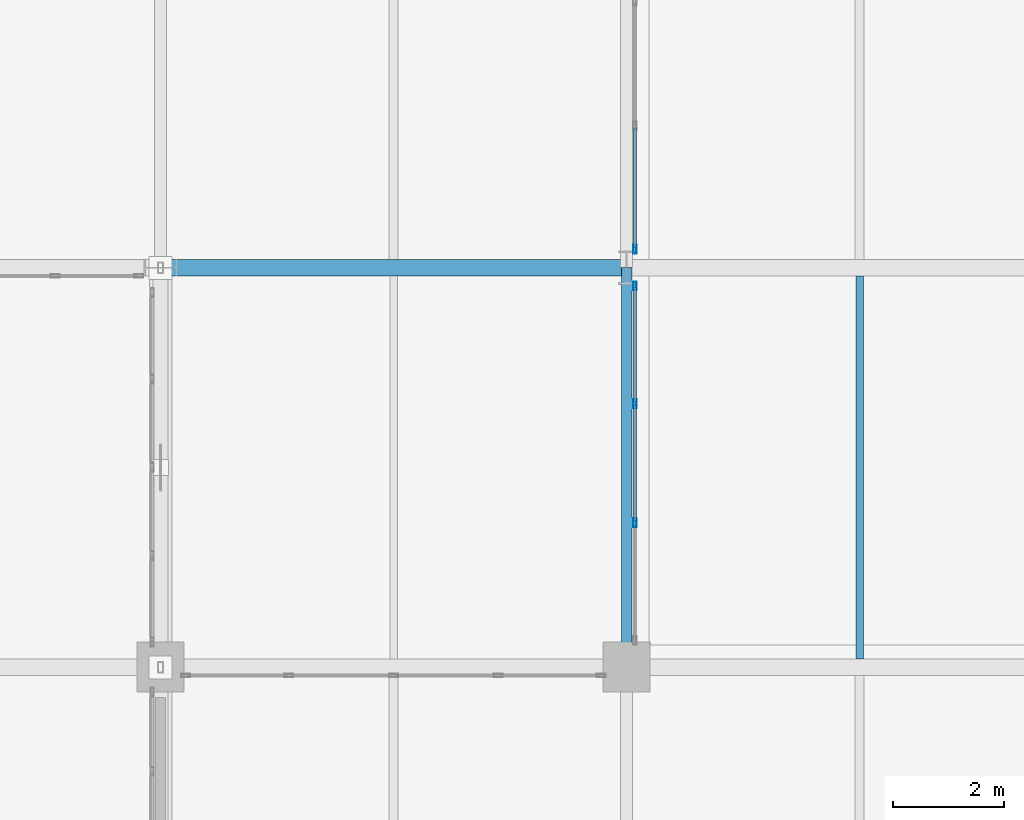
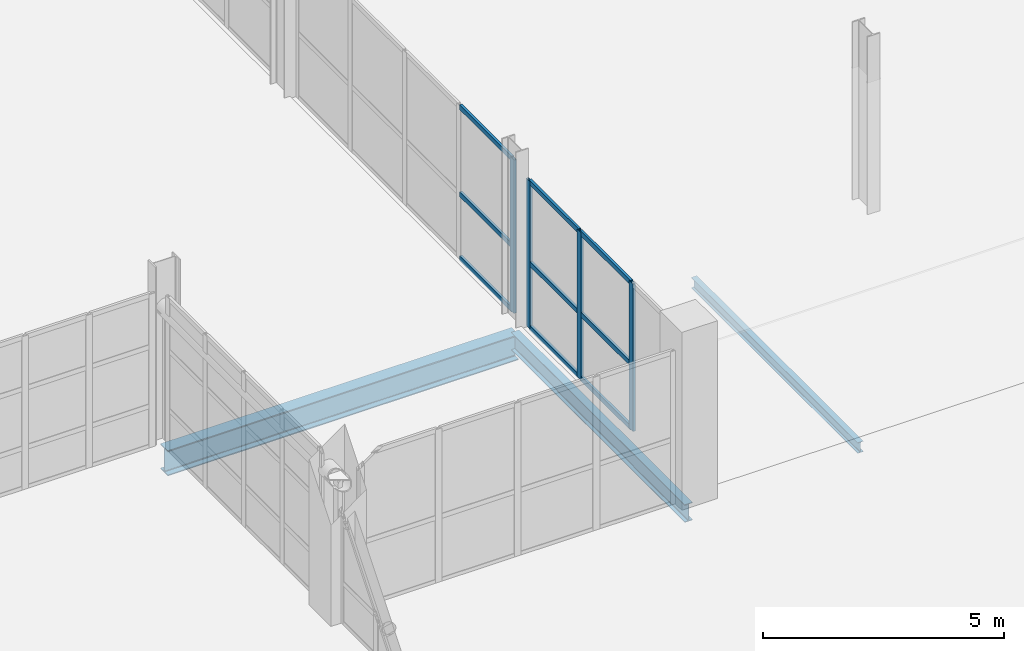
# One storey, part 32 of 130: 13 members, 3 beams, 2 elements without a shape of their own.
"""IFC4 building model written with IfcOpenShell, lengths in metres."""

from ifc_helpers import new_model, si_unit, direction, frame, origin, origin_2d, place, context, subcontext, project, spatial, hollow_rectangle, i_section, extrude, material, material_profile, profile_set, type_object, element, aggregate, save


model = new_model("IFC4")

# Units and contexts
model_context = context("Model", 3, precision=1e-05, world=origin(), true_north=direction((0.0, 1.0)))
body_context = subcontext(model_context, "Body", "Model", "MODEL_VIEW")
ifc_project = project(units=[si_unit("LENGTHUNIT", "METRE"), si_unit("AREAUNIT", "SQUARE_METRE"), si_unit("VOLUMEUNIT", "CUBIC_METRE"), si_unit("PLANEANGLEUNIT", "RADIAN"), si_unit("MASSUNIT", "GRAM", prefix="KILO")], contexts=[model_context])

# Site, building, storey
site_placement = place(None, origin())
site = spatial("IfcSite", under=ifc_project, at=site_placement, CompositionType="ELEMENT")
building_placement = place(site_placement, origin())
building = spatial("IfcBuilding", under=site, at=building_placement, Name="Veltarok Museum of Natural Sciences", CompositionType="ELEMENT")
storey_placement = place(building_placement, frame((0.0, 0.0, 12.89990234375)))
storey = spatial("IfcBuildingStorey", under=building, at=storey_placement, Name="L02", CompositionType="ELEMENT", Elevation=12.89990234375)

# Curtain wall, members
ifc_material_1 = material(Name="Low-iron triple insulated glass", Category="glass")
curtain_wall_type_1 = type_object("IfcCurtainWallType", Name="Curtain Wall System CW-V2W-L02-3-645x373 (CW-V2W L02 645x373cm)", PredefinedType="NOTDEFINED", material=ifc_material_1)
curtain_wall_1_placement = place(storey_placement, origin())
curtain_wall_1 = element("IfcCurtainWall", 1, at=curtain_wall_1_placement, inside=storey, type_object=curtain_wall_type_1, Name="Curtain Wall CW-V2W-L02-3-645x373 CW-0139", PredefinedType="NOTDEFINED")
ifc_material_2 = material(Name="Thermally broken anodised aluminium", Category="aluminium")
ifc_material_profile_1 = material_profile(ifc_material_2, hollow_rectangle(XDim=0.06005859375, YDim=0.1201171875, WallThickness=0.0048828125, at=origin_2d()), Name="CW TRANSOM 60x120x5")
ifc_profile_set_1 = profile_set([ifc_material_profile_1], Name="Thermally broken anodised aluminium")
member_type_1 = type_object("IfcMemberType", Name="Curtain Wall Horizontal Transom 60x120x5", PredefinedType="USERDEFINED", material=ifc_profile_set_1)
member_1_placement = place(storey_placement, frame((40.14990234375, 21.830078125, 0.028076171875), z_axis=(0.0, 1.0, 0.0), x_axis=(-1.0, 0.0, 0.0)))
member_1 = element("IfcMember", 2, at=member_1_placement, type_object=member_type_1, Name="CW-V2W-L02-3-645x373 transom 2.1", ObjectType="TRANSOM", PredefinedType="USERDEFINED", context=body_context, shape_type="SweptSolid", body=[
    extrude(hollow_rectangle(XDim=0.06005859375, YDim=0.1201171875, WallThickness=0.0048828125, at=origin_2d()), origin(), (0.0, 0.0, 1.0), 2.08984375),
])
member_2_placement = place(storey_placement, frame((40.14990234375, 21.830078125, 1.648193359375), z_axis=(0.0, 1.0, 0.0), x_axis=(-1.0, 0.0, 0.0)))
member_2 = element("IfcMember", 3, at=member_2_placement, type_object=member_type_1, Name="CW-V2W-L02-3-645x373 transom 2.2", ObjectType="TRANSOM", PredefinedType="USERDEFINED", context=body_context, shape_type="SweptSolid", body=[
    extrude(hollow_rectangle(XDim=0.06005859375, YDim=0.1201171875, WallThickness=0.0048828125, at=origin_2d()), origin(), (0.0, 0.0, 1.0), 2.08984375),
])
member_3_placement = place(storey_placement, frame((40.14990234375, 21.830078125, 3.7001953125), z_axis=(0.0, 1.0, 0.0), x_axis=(-1.0, 0.0, 0.0)))
member_3 = element("IfcMember", 4, at=member_3_placement, type_object=member_type_1, Name="CW-V2W-L02-3-645x373 transom 2.3", ObjectType="TRANSOM", PredefinedType="USERDEFINED", context=body_context, shape_type="SweptSolid", body=[
    extrude(hollow_rectangle(XDim=0.06005859375, YDim=0.1201171875, WallThickness=0.0048828125, at=origin_2d()), origin(), (0.0, 0.0, 1.0), 2.08984375),
])
member_4_placement = place(storey_placement, frame((40.14990234375, 23.97998046875, 0.028076171875), z_axis=(0.0, 1.0, 0.0), x_axis=(-1.0, 0.0, 0.0)))
member_4 = element("IfcMember", 5, at=member_4_placement, type_object=member_type_1, Name="CW-V2W-L02-3-645x373 transom 3.1", ObjectType="TRANSOM", PredefinedType="USERDEFINED", context=body_context, shape_type="SweptSolid", body=[
    extrude(hollow_rectangle(XDim=0.06005859375, YDim=0.1201171875, WallThickness=0.0048828125, at=origin_2d()), origin(), (0.0, 0.0, 1.0), 2.06005859375),
])
member_5_placement = place(storey_placement, frame((40.14990234375, 23.97998046875, 1.648193359375), z_axis=(0.0, 1.0, 0.0), x_axis=(-1.0, 0.0, 0.0)))
member_5 = element("IfcMember", 6, at=member_5_placement, type_object=member_type_1, Name="CW-V2W-L02-3-645x373 transom 3.2", ObjectType="TRANSOM", PredefinedType="USERDEFINED", context=body_context, shape_type="SweptSolid", body=[
    extrude(hollow_rectangle(XDim=0.06005859375, YDim=0.1201171875, WallThickness=0.0048828125, at=origin_2d()), origin(), (0.0, 0.0, 1.0), 2.06005859375),
])
member_6_placement = place(storey_placement, frame((40.14990234375, 23.97998046875, 3.7001953125), z_axis=(0.0, 1.0, 0.0), x_axis=(-1.0, 0.0, 0.0)))
member_6 = element("IfcMember", 7, at=member_6_placement, type_object=member_type_1, Name="CW-V2W-L02-3-645x373 transom 3.3", ObjectType="TRANSOM", PredefinedType="USERDEFINED", context=body_context, shape_type="SweptSolid", body=[
    extrude(hollow_rectangle(XDim=0.06005859375, YDim=0.1201171875, WallThickness=0.0048828125, at=origin_2d()), origin(), (0.0, 0.0, 1.0), 2.06005859375),
])

curtain_wall_type_2 = type_object("IfcCurtainWallType", Name="Curtain Wall System CW-V2W-L02-0-900x388 (CW-V2W L02 900x388cm)", PredefinedType="NOTDEFINED", material=ifc_material_1)
curtain_wall_2_placement = place(storey_placement, origin())
curtain_wall_2 = element("IfcCurtainWall", 8, at=curtain_wall_2_placement, inside=storey, type_object=curtain_wall_type_2, Name="Curtain Wall CW-V2W-L02-0-900x388 CW-0140", PredefinedType="NOTDEFINED")
member_7_placement = place(storey_placement, frame((40.14990234375, 26.760009765625, 0.028076171875), z_axis=(0.0, 1.0, 0.0), x_axis=(-1.0, 0.0, 0.0)))
member_7 = element("IfcMember", 9, at=member_7_placement, type_object=member_type_1, Name="CW-V2W-L02-0-900x388 transom 1.1", ObjectType="TRANSOM", PredefinedType="USERDEFINED", context=body_context, shape_type="SweptSolid", body=[
    extrude(hollow_rectangle(XDim=0.06005859375, YDim=0.1201171875, WallThickness=0.0048828125, at=origin_2d()), origin(), (0.0, 0.0, 1.0), 2.159912109375),
])
member_8_placement = place(storey_placement, frame((40.14990234375, 26.760009765625, 1.648193359375), z_axis=(0.0, 1.0, 0.0), x_axis=(-1.0, 0.0, 0.0)))
member_8 = element("IfcMember", 10, at=member_8_placement, type_object=member_type_1, Name="CW-V2W-L02-0-900x388 transom 1.2", ObjectType="TRANSOM", PredefinedType="USERDEFINED", context=body_context, shape_type="SweptSolid", body=[
    extrude(hollow_rectangle(XDim=0.06005859375, YDim=0.1201171875, WallThickness=0.0048828125, at=origin_2d()), origin(), (0.0, 0.0, 1.0), 2.159912109375),
])
member_9_placement = place(storey_placement, frame((40.14990234375, 26.760009765625, 3.85009765625), z_axis=(0.0, 1.0, 0.0), x_axis=(-1.0, 0.0, 0.0)))
member_9 = element("IfcMember", 11, at=member_9_placement, type_object=member_type_1, Name="CW-V2W-L02-0-900x388 transom 1.3", ObjectType="TRANSOM", PredefinedType="USERDEFINED", context=body_context, shape_type="SweptSolid", body=[
    extrude(hollow_rectangle(XDim=0.06005859375, YDim=0.1201171875, WallThickness=0.0048828125, at=origin_2d()), origin(), (0.0, 0.0, 1.0), 2.159912109375),
])

# Member
ifc_material_profile_2 = material_profile(ifc_material_2, hollow_rectangle(XDim=0.06005859375, YDim=0.159912109375, WallThickness=0.0048828125, at=origin_2d()), Name="CW MULLION 60x160x5")
ifc_profile_set_2 = profile_set([ifc_material_profile_2], Name="Thermally broken anodised aluminium")
member_type_2 = type_object("IfcMemberType", Name="Curtain Wall Vertical Mullion 60x160x5", PredefinedType="MULLION", material=ifc_profile_set_2)
member_10_placement = place(storey_placement, frame((40.14990234375, 21.800048828125, -0.001953125), z_axis=(0.0, 0.0, 1.0), x_axis=(-1.0, 0.0, 0.0)))
member_10 = element("IfcMember", 12, at=member_10_placement, type_object=member_type_2, Name="CW-V2W-L02-3-645x373 mullion 2", PredefinedType="MULLION", context=body_context, shape_type="SweptSolid", body=[
    extrude(hollow_rectangle(XDim=0.06005859375, YDim=0.159912109375, WallThickness=0.0048828125, at=origin_2d()), origin(), (0.0, 0.0, 1.0), 3.73193359375),
])

member_11_placement = place(storey_placement, frame((40.14990234375, 23.949951171875, -0.001953125), z_axis=(0.0, 0.0, 1.0), x_axis=(-1.0, 0.0, 0.0)))
member_11 = element("IfcMember", 13, at=member_11_placement, type_object=member_type_2, Name="CW-V2W-L02-3-645x373 mullion 3", PredefinedType="MULLION", context=body_context, shape_type="SweptSolid", body=[
    extrude(hollow_rectangle(XDim=0.06005859375, YDim=0.159912109375, WallThickness=0.0048828125, at=origin_2d()), origin(), (0.0, 0.0, 1.0), 3.73193359375),
])

member_12_placement = place(storey_placement, frame((40.14990234375, 26.070068359375, -0.001953125), z_axis=(0.0, 0.0, 1.0), x_axis=(-1.0, 0.0, 0.0)))
member_12 = element("IfcMember", 14, at=member_12_placement, type_object=member_type_2, Name="CW-V2W-L02-3-645x373 mullion 4", PredefinedType="MULLION", context=body_context, shape_type="SweptSolid", body=[
    extrude(hollow_rectangle(XDim=0.06005859375, YDim=0.159912109375, WallThickness=0.0048828125, at=origin_2d()), origin(), (0.0, 0.0, 1.0), 3.73193359375),
])

aggregate(curtain_wall_1, [member_10, member_11, member_12, member_1, member_2, member_3, member_4, member_5, member_6])

member_13_placement = place(storey_placement, frame((40.14990234375, 26.72998046875, -0.001953125), z_axis=(0.0, 0.0, 1.0), x_axis=(-1.0, 0.0, 0.0)))
member_13 = element("IfcMember", 15, at=member_13_placement, type_object=member_type_2, Name="CW-V2W-L02-0-900x388 mullion 1", PredefinedType="MULLION", context=body_context, shape_type="SweptSolid", body=[
    extrude(hollow_rectangle(XDim=0.06005859375, YDim=0.159912109375, WallThickness=0.0048828125, at=origin_2d()), origin(), (0.0, 0.0, 1.0), 3.882080078125),
])

aggregate(curtain_wall_2, [member_13, member_7, member_8, member_9])

# Beams
ifc_material_3 = material(Name="Steel S355J2", Category="steel")
ifc_material_profile_3 = material_profile(ifc_material_3, i_section(OverallWidth=0.300048828125, OverallDepth=0.639892578125, WebThickness=0.013427734375, FlangeThickness=0.02587890625, FilletRadius=0.027099609375, at=origin_2d()), Name="HEA 650")
ifc_profile_set_3 = profile_set([ifc_material_profile_3], Name="Steel S355J2")
beam_type_1 = type_object("IfcBeamType", Name="Heavy Exhibition Girder HEA 650", PredefinedType="BEAM", material=ifc_profile_set_3)
beam_1_placement = place(storey_placement, frame((31.60009765625, 26.39990234375, -0.56982421875), z_axis=(1.0, 0.0, 0.0), x_axis=(0.0, 1.0, 0.0)))
element("IfcBeam", 16, at=beam_1_placement, inside=storey, type_object=beam_type_1, Name="Beam BM-G08 L02 4-5/D", PredefinedType="BEAM", context=body_context, shape_type="SweptSolid", body=[
    extrude(i_section(OverallWidth=0.300048828125, OverallDepth=0.639892578125, WebThickness=0.013427734375, FlangeThickness=0.02587890625, FilletRadius=0.027099609375, at=origin_2d()), origin(), (0.0, 0.0, 1.0), 8.39990234375),
])
ifc_material_profile_4 = material_profile(ifc_material_3, i_section(OverallWidth=0.18994140625, OverallDepth=0.449951171875, WebThickness=0.009521484375, FlangeThickness=0.0146484375, FilletRadius=0.02099609375, at=origin_2d()), Name="IPE 450")
ifc_profile_set_4 = profile_set([ifc_material_profile_4], Name="Steel S355J2")
beam_type_2 = type_object("IfcBeamType", Name="Laboratory Floor Girder IPE 450", PredefinedType="BEAM", material=ifc_profile_set_4)
beam_2_placement = place(storey_placement, frame((40.0, 19.199951171875, -0.474853515625), z_axis=(0.0, 1.0, 0.0), x_axis=(-1.0, 0.0, 0.0)))
element("IfcBeam", 17, at=beam_2_placement, inside=storey, type_object=beam_type_2, Name="Beam BM-G05 L02 5/C-D", PredefinedType="BEAM", context=body_context, shape_type="SweptSolid", body=[
    extrude(i_section(OverallWidth=0.18994140625, OverallDepth=0.449951171875, WebThickness=0.009521484375, FlangeThickness=0.0146484375, FilletRadius=0.02099609375, at=origin_2d()), origin(), (0.0, 0.0, 1.0), 7.199951171875),
])
ifc_material_profile_5 = material_profile(ifc_material_3, i_section(OverallWidth=0.135009765625, OverallDepth=0.27001953125, WebThickness=0.006591796875, FlangeThickness=0.01025390625, FilletRadius=0.014892578125, at=origin_2d()), Name="IPE 270")
ifc_profile_set_5 = profile_set([ifc_material_profile_5], Name="Steel S355J2")
beam_type_3 = type_object("IfcBeamType", Name="Short-Bay Composite Joist IPE 270", PredefinedType="JOIST", material=ifc_profile_set_5)
beam_3_placement = place(storey_placement, frame((44.199951171875, 19.347900390625, -0.385009765625), z_axis=(0.0, 1.0, 0.0), x_axis=(-1.0, 0.0, 0.0)))
element("IfcBeam", 18, at=beam_3_placement, inside=storey, type_object=beam_type_3, Name="Secondary Joist BM-J04 L02 5-6/C-D.1", PredefinedType="JOIST", context=body_context, shape_type="SweptSolid", body=[
    extrude(i_section(OverallWidth=0.135009765625, OverallDepth=0.27001953125, WebThickness=0.006591796875, FlangeThickness=0.01025390625, FilletRadius=0.014892578125, at=origin_2d()), origin(), (0.0, 0.0, 1.0), 6.904052734375),
])

save(model, "model.ifc")
